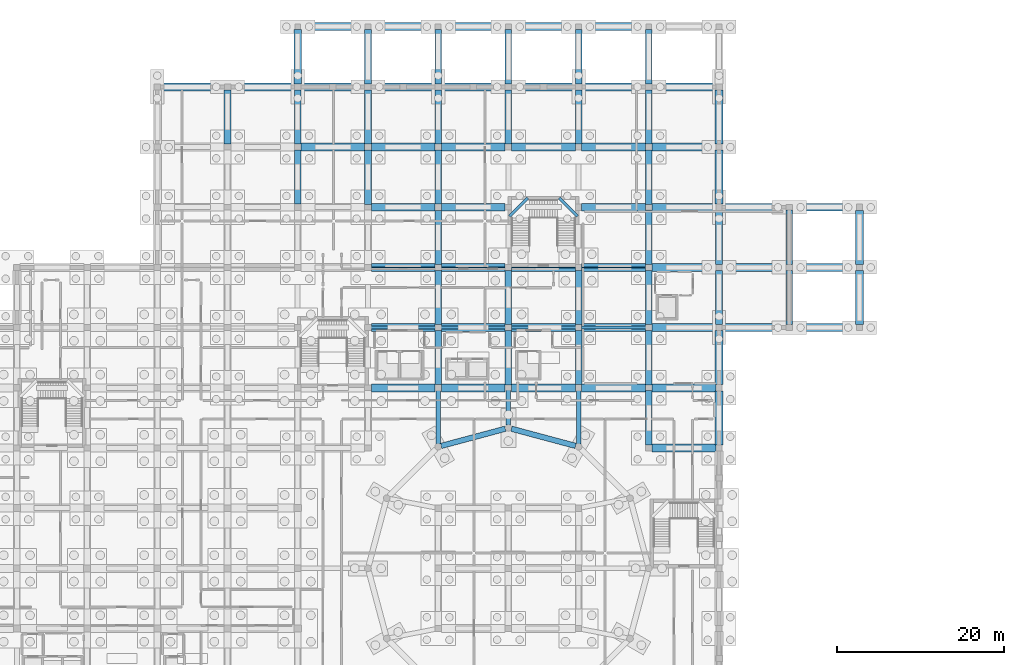
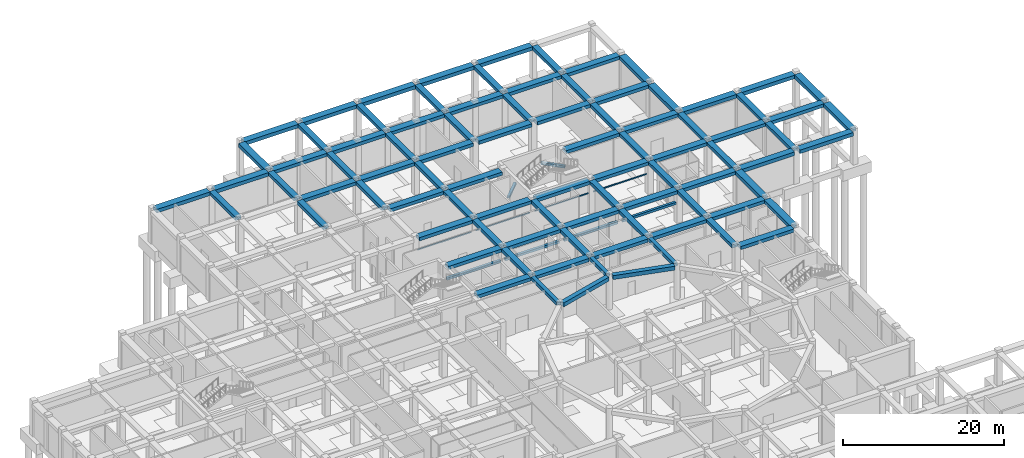
# One storey, part 13 of 32: 98 beams.
"""IFC4 building model written with IfcOpenShell, lengths in metres."""

import ifcopenshell
import ifcopenshell.guid

model = None  # the IFC model being written
_history = None  # IfcOwnerHistory: only IFC2X3 demands one
_inside = {}  # id of a spatial element -> (the spatial element, [elements in it])
_under = {}  # id of a project, library or spatial element -> (it, [spatial elements below it])
_declared = {}  # id of a project -> (the project, [libraries it declares])
_typed = {}  # id of a type object -> (the type object, [elements of that type])
_made_of = {}  # id of a material, layer set ... -> (it, [elements and type objects made of it])


def new_model(schema):
    """Start an empty IFC model of exactly this schema.

    Asked for "IFC4X3", IfcOpenShell would pick the latest addendum, in which some entities
    have other attributes; the version numbers below select the first issue.
    IFC2X3 requires an IfcOwnerHistory on every rooted entity: one is made here for all.
    """
    global model, _history
    if schema == "IFC4X3":
        model = ifcopenshell.file(schema_version=(4, 3, 0, 0))
    else:
        model = ifcopenshell.file(schema=schema)
    _inside.clear()
    _under.clear()
    _declared.clear()
    _typed.clear()
    _made_of.clear()
    _history = None
    if model.schema == "IFC2X3":
        org = make("IfcOrganization", Name="unknown")
        user = make(
            "IfcPersonAndOrganization",
            ThePerson=make("IfcPerson", FamilyName="unknown"),
            TheOrganization=org,
        )
        app = make(
            "IfcApplication",
            ApplicationDeveloper=org,
            Version="unknown",
            ApplicationFullName="unknown",
            ApplicationIdentifier="unknown",
        )
        _history = make(
            "IfcOwnerHistory",
            OwningUser=user,
            OwningApplication=app,
            ChangeAction="ADDED",
            CreationDate=0,
        )
    return model


def make(cls, **values):
    """One entity of the class cls with the attributes given. An attribute that is None is left unset."""
    return model.create_entity(
        cls, **{name: value for name, value in values.items() if value is not None}
    )


def rooted(cls, **values):
    """An entity with a GlobalId (a new one), such as an element, a storey or a relation."""
    return make(cls, GlobalId=ifcopenshell.guid.new(), OwnerHistory=_history, **values)


def si_unit(unit_type, name, prefix=None):
    """IfcSIUnit, for example si_unit("LENGTHUNIT", "METRE", prefix="MILLI")."""
    return make("IfcSIUnit", UnitType=unit_type, Prefix=prefix, Name=name)


def derived_unit(unit_type, elements):
    """IfcDerivedUnit: a product of units, each with its exponent."""
    return make(
        "IfcDerivedUnit",
        Elements=[
            make("IfcDerivedUnitElement", Unit=unit, Exponent=power)
            for unit, power in elements
        ],
        UnitType=unit_type,
    )


def assignment(units):
    """IfcUnitAssignment: the units of a project."""
    return None if units is None else make("IfcUnitAssignment", Units=units)


def point(xyz):
    """IfcCartesianPoint."""
    return None if xyz is None else make("IfcCartesianPoint", Coordinates=xyz)


def direction(xyz):
    """IfcDirection."""
    return None if xyz is None else make("IfcDirection", DirectionRatios=xyz)


def frame(location, z_axis=None, x_axis=None):
    """IfcAxis2Placement3D, a coordinate frame: its origin and axes. An axis left out is left unset."""
    return make(
        "IfcAxis2Placement3D",
        Location=point(location),
        Axis=direction(z_axis),
        RefDirection=direction(x_axis),
    )


def frame_2d(location, x_axis=None):
    """IfcAxis2Placement2D, a coordinate frame in the plane: its origin and x axis."""
    return make(
        "IfcAxis2Placement2D", Location=point(location), RefDirection=direction(x_axis)
    )


def origin():
    """The frame at (0, 0, 0) with its axes left unset."""
    return frame((0.0, 0.0, 0.0))


def origin_2d():
    """The frame at (0, 0) in the plane with its x axis left unset."""
    return frame_2d((0.0, 0.0))


def place(relative_to, where):
    """IfcLocalPlacement: puts the frame where relative to a parent placement (None: the world)."""
    return make(
        "IfcLocalPlacement", PlacementRelTo=relative_to, RelativePlacement=where
    )


def context(
    kind, dimensions, precision=None, world=None, true_north=None, identifier=None
):
    """IfcGeometricRepresentationContext, for example the 3D "Model" context."""
    return make(
        "IfcGeometricRepresentationContext",
        ContextIdentifier=identifier,
        ContextType=kind,
        CoordinateSpaceDimension=dimensions,
        Precision=precision,
        WorldCoordinateSystem=world,
        TrueNorth=true_north,
    )


def subcontext(parent, identifier, kind, view, scale=None):
    """IfcGeometricRepresentationSubContext, for example "Body" below "Model"."""
    return make(
        "IfcGeometricRepresentationSubContext",
        ContextIdentifier=identifier,
        ContextType=kind,
        ParentContext=parent,
        TargetScale=scale,
        TargetView=view,
    )


def project(units=None, contexts=None):
    """IfcProject with its units and contexts."""
    return rooted(
        "IfcProject",
        Name="project",
        RepresentationContexts=contexts,
        UnitsInContext=assignment(units),
    )


def spatial(cls, under=None, at=None, **own):
    """A site, building, storey or space (cls), placed at a placement, below another one or the project."""
    s = rooted(cls, ObjectPlacement=at, **own)
    if under is not None:
        _under.setdefault(under.id(), (under, []))[1].append(s)
    return s


def profile(cls, at=None, kind="AREA", **sizes):
    """A parametric profile (cls). Its sizes go by their IFC names, for example OverallWidth=200.0."""
    return make(cls, ProfileType=kind, Position=at, **sizes)


def rectangle(**sizes):
    """IfcRectangleProfileDef."""
    return profile("IfcRectangleProfileDef", **sizes)


def hollow_rectangle(**sizes):
    """IfcRectangleHollowProfileDef."""
    return profile("IfcRectangleHollowProfileDef", **sizes)


def extrude(swept, where, along, depth):
    """IfcExtrudedAreaSolid: the profile swept, set in the frame where, extruded along a direction by depth."""
    return make(
        "IfcExtrudedAreaSolid",
        SweptArea=swept,
        Position=where,
        ExtrudedDirection=direction(along),
        Depth=depth,
    )


def shape(context_of_items, identifier, shape_type, items):
    """IfcShapeRepresentation: the items that make up one representation, for example the "Body"."""
    return make(
        "IfcShapeRepresentation",
        ContextOfItems=context_of_items,
        RepresentationIdentifier=identifier,
        RepresentationType=shape_type,
        Items=items,
    )


def material(Name=None, Category=None):
    """IfcMaterial."""
    return make("IfcMaterial", Name=Name, Category=Category)


def material_profile(
    of_material, cross_section, Name=None, Category=None, Priority=None
):
    """IfcMaterialProfile: a cross section and its material."""
    return make(
        "IfcMaterialProfile",
        Name=Name,
        Material=of_material,
        Profile=cross_section,
        Priority=Priority,
        Category=Category,
    )


def profile_set(profiles, Name=None, composite=None):
    """IfcMaterialProfileSet."""
    return make(
        "IfcMaterialProfileSet",
        Name=Name,
        MaterialProfiles=profiles,
        CompositeProfile=composite,
    )


def made_of(thing, what):
    """Note that an element or type object is made of a material, layer set ...; save() writes the relation."""
    if what is not None:
        _made_of.setdefault(what.id(), (what, []))[1].append(thing)
    return thing


def type_object(cls, material=None, **own):
    """A type object (cls), such as IfcWallType, which elements share."""
    return made_of(rooted(cls, **own), material)


def element(
    cls,
    number,
    at=None,
    inside=None,
    cuts=None,
    type_object=None,
    material=None,
    context=None,
    identifier="Body",
    shape_type=None,
    held_by="IfcProductDefinitionShape",
    body=None,
    shapes=None,
    **own,
):
    """One element of the class cls, such as IfcWall. Its Tag is "e" and its number.

    at: its placement. inside: the storey or other place that contains it. cuts: it is an
    opening in that element (IfcRelVoidsElement). A single representation is given by context,
    identifier, shape_type and body (its items); several are given by shapes. held_by: the class
    of the entity that holds the representations. save() writes the other relations.
    """
    e = rooted(cls, Tag="e%d" % number, ObjectPlacement=at, **own)
    if body is not None:
        shapes = [shape(context, identifier, shape_type, body)]
    if shapes is not None:
        e.Representation = make(held_by, Representations=shapes)
    if inside is not None:
        _inside.setdefault(inside.id(), (inside, []))[1].append(e)
    if cuts is not None:
        rooted(
            "IfcRelVoidsElement", RelatingBuildingElement=cuts, RelatedOpeningElement=e
        )
    if type_object is not None:
        _typed.setdefault(type_object.id(), (type_object, []))[1].append(e)
    return made_of(e, material)


def aggregate(whole, parts):
    """IfcRelAggregates: a whole, such as a stair, and the parts it consists of."""
    return rooted("IfcRelAggregates", RelatingObject=whole, RelatedObjects=parts)


def save(model, path):
    """Write the relations noted so far, then the file.

    IfcRelAggregates (storeys below a building ...), IfcRelContainedInSpatialStructure (elements
    in a storey), IfcRelDefinesByType, IfcRelAssociatesMaterial and IfcRelDeclares: one each for
    every whole, place, type object, material and project.
    """
    for whole, parts in _under.values():
        aggregate(whole, parts)
    for where, things in _inside.values():
        rooted(
            "IfcRelContainedInSpatialStructure",
            RelatedElements=things,
            RelatingStructure=where,
        )
    for kind, things in _typed.values():
        rooted("IfcRelDefinesByType", RelatedObjects=things, RelatingType=kind)
    for what, things in _made_of.values():
        rooted("IfcRelAssociatesMaterial", RelatedObjects=things, RelatingMaterial=what)
    for by, libraries in _declared.values():
        rooted("IfcRelDeclares", RelatingContext=by, RelatedDefinitions=libraries)
    model.write(path)


model = new_model("IFC4")

# Units and contexts
model_context = context("Model", 3, precision=1e-05, world=origin(), true_north=direction((0.0, 1.0)))
body_context = subcontext(model_context, "Body", "Model", "MODEL_VIEW")
ifc_project = project(units=[si_unit("LENGTHUNIT", "METRE"), si_unit("AREAUNIT", "SQUARE_METRE"), si_unit("VOLUMEUNIT", "CUBIC_METRE"), si_unit("PLANEANGLEUNIT", "RADIAN"), si_unit("MASSUNIT", "GRAM", prefix="KILO"), derived_unit("THERMALTRANSMITTANCEUNIT", [(si_unit("POWERUNIT", "WATT"), 1), (si_unit("LENGTHUNIT", "METRE"), -2), (si_unit("THERMODYNAMICTEMPERATUREUNIT", "KELVIN"), -1)])], contexts=[model_context])

# Site, building, storey
site_placement = place(None, origin())
site = spatial("IfcSite", under=ifc_project, at=site_placement, CompositionType="ELEMENT")
building_placement = place(site_placement, origin())
building = spatial("IfcBuilding", under=site, at=building_placement, Name="Veybourne Emporium", CompositionType="ELEMENT")
storey_placement = place(building_placement, frame((0.0, 0.0, -5.39990234375)))
storey = spatial("IfcBuildingStorey", under=building, at=storey_placement, Name="B1", CompositionType="ELEMENT", Elevation=-5.39990234375)

# Beams
ifc_material_1 = material(Name="Concrete C32/40", Category="concrete")
ifc_material_profile_1 = material_profile(ifc_material_1, rectangle(XDim=0.35009765625, YDim=0.35009765625, at=origin_2d()), Name="RC 350x350")
ifc_profile_set_1 = profile_set([ifc_material_profile_1], Name="Concrete C32/40")
beam_type_1 = type_object("IfcBeamType", Name="LandingBeam_LB-01", PredefinedType="BEAM", material=ifc_profile_set_1)
for number, where, z_axis, x_axis, name in (
    (1, (75.75, 92.52001953125, 1.4248046875), (0.707106781187, 0.707106781187, 0.0), (-0.707106781187, 0.707106781187, 0.0), "B1 ST-04 landing 1 support beam"),
    (2, (81.669921875, 94.699951171875, 3.224853515625), (0.70714637394, -0.707067186216, 0.0), (0.707067186216, 0.70714637394, 0.0), "B1 ST-04 landing 2 support beam"),
):
    element("IfcBeam", number, at=place(storey_placement, frame(where, z_axis=z_axis, x_axis=x_axis)), inside=storey, type_object=beam_type_1, Name=name, PredefinedType="BEAM", context=body_context, shape_type="SweptSolid", body=[
        extrude(rectangle(XDim=0.35009765625, YDim=0.35009765625, at=origin_2d()), origin(), (0.0, 0.0, 1.0), 3.0830078125),
    ])
ifc_material_profile_2 = material_profile(ifc_material_1, rectangle(XDim=0.949951171875, YDim=0.5, at=origin_2d()), Name="RC 950x500")
ifc_profile_set_2 = profile_set([ifc_material_profile_2], Name="Concrete C32/40")
beam_type_2 = type_object("IfcBeamType", Name="RCBeam_BB-01", PredefinedType="BEAM", material=ifc_profile_set_2)
beam_1_placement = place(storey_placement, frame((50.77490234375, 100.800048828125, 4.7998046875), z_axis=(1.0, 0.0, 0.0), x_axis=(0.0, 1.0, 0.0)))
element("IfcBeam", 3, at=beam_1_placement, inside=storey, type_object=beam_type_2, Name="B1 X-grid beam BB-01 (6,14)", PredefinedType="BEAM", context=body_context, shape_type="SweptSolid", body=[
    extrude(rectangle(XDim=0.949951171875, YDim=0.5, at=origin_2d()), origin(), (0.0, 0.0, 1.0), 7.625),
])
beam_2_placement = place(storey_placement, frame((50.7900390625, 108.0, 4.7998046875), z_axis=(1.0, 0.0, 0.0), x_axis=(0.0, 1.0, 0.0)))
element("IfcBeam", 4, at=beam_2_placement, inside=storey, type_object=beam_type_2, Name="B1 X-grid beam BB-01 (6,15)", PredefinedType="BEAM", context=body_context, shape_type="SweptSolid", body=[
    extrude(rectangle(XDim=0.949951171875, YDim=0.5, at=origin_2d()), origin(), (0.0, 0.0, 1.0), 7.619873046875),
])
for number, where, z_axis, x_axis, name in (
    (5, (59.199951171875, 72.0, 4.7998046875), (1.0, 0.0, 0.0), (0.0, 1.0, 0.0), "B1 X-grid beam BB-01 (7,10)"),
    (6, (59.199951171875, 79.199951171875, 4.7998046875), (1.0, 0.0, 0.0), (0.0, 1.0, 0.0), "B1 X-grid beam BB-01 (7,11)"),
    (7, (59.199951171875, 86.39990234375, 4.7998046875), (1.0, 0.0, 0.0), (0.0, 1.0, 0.0), "B1 X-grid beam BB-01 (7,12)"),
    (8, (59.199951171875, 93.60009765625, 4.7998046875), (1.0, 0.0, 0.0), (0.0, 1.0, 0.0), "B1 X-grid beam BB-01 (7,13)"),
    (9, (59.199951171875, 100.800048828125, 4.7998046875), (1.0, 0.0, 0.0), (0.0, 1.0, 0.0), "B1 X-grid beam BB-01 (7,14)"),
):
    element("IfcBeam", number, at=place(storey_placement, frame(where, z_axis=z_axis, x_axis=x_axis)), inside=storey, type_object=beam_type_2, Name=name, PredefinedType="BEAM", context=body_context, shape_type="SweptSolid", body=[
        extrude(rectangle(XDim=0.949951171875, YDim=0.5, at=origin_2d()), origin(), (0.0, 0.0, 1.0), 7.625),
    ])
beam_3_placement = place(storey_placement, frame((59.18994140625, 108.0, 4.7998046875), z_axis=(1.0, 0.0, 0.0), x_axis=(0.0, 1.0, 0.0)))
element("IfcBeam", 10, at=beam_3_placement, inside=storey, type_object=beam_type_2, Name="B1 X-grid beam BB-01 (7,15)", PredefinedType="BEAM", context=body_context, shape_type="SweptSolid", body=[
    extrude(rectangle(XDim=0.949951171875, YDim=0.5, at=origin_2d()), origin(), (0.0, 0.0, 1.0), 7.6201171875),
])
for number, where, z_axis, x_axis, name in (
    (11, (67.574951171875, 72.0, 4.7998046875), (1.0, 0.0, 0.0), (0.0, 1.0, 0.0), "B1 X-grid beam BB-01 (8,10)"),
    (12, (67.574951171875, 79.199951171875, 4.7998046875), (1.0, 0.0, 0.0), (0.0, 1.0, 0.0), "B1 X-grid beam BB-01 (8,11)"),
    (13, (67.574951171875, 86.39990234375, 4.7998046875), (1.0, 0.0, 0.0), (0.0, 1.0, 0.0), "B1 X-grid beam BB-01 (8,12)"),
    (14, (67.574951171875, 93.60009765625, 4.7998046875), (1.0, 0.0, 0.0), (0.0, 1.0, 0.0), "B1 X-grid beam BB-01 (8,13)"),
    (15, (67.574951171875, 100.800048828125, 4.7998046875), (1.0, 0.0, 0.0), (0.0, 1.0, 0.0), "B1 X-grid beam BB-01 (8,14)"),
):
    element("IfcBeam", number, at=place(storey_placement, frame(where, z_axis=z_axis, x_axis=x_axis)), inside=storey, type_object=beam_type_2, Name=name, PredefinedType="BEAM", context=body_context, shape_type="SweptSolid", body=[
        extrude(rectangle(XDim=0.949951171875, YDim=0.5, at=origin_2d()), origin(), (0.0, 0.0, 1.0), 7.625),
    ])
beam_4_placement = place(storey_placement, frame((67.590087890625, 108.0, 4.7998046875), z_axis=(1.0, 0.0, 0.0), x_axis=(0.0, 1.0, 0.0)))
element("IfcBeam", 16, at=beam_4_placement, inside=storey, type_object=beam_type_2, Name="B1 X-grid beam BB-01 (8,15)", PredefinedType="BEAM", context=body_context, shape_type="SweptSolid", body=[
    extrude(rectangle(XDim=0.949951171875, YDim=0.5, at=origin_2d()), origin(), (0.0, 0.0, 1.0), 7.619873046875),
])
for number, where, z_axis, x_axis, name in (
    (17, (76.0, 72.0, 4.7998046875), (1.0, 0.0, 0.0), (0.0, 1.0, 0.0), "B1 X-grid beam BB-01 (9,10)"),
    (18, (76.0, 79.199951171875, 4.7998046875), (1.0, 0.0, 0.0), (0.0, 1.0, 0.0), "B1 X-grid beam BB-01 (9,11)"),
    (19, (76.0, 86.39990234375, 4.7998046875), (1.0, 0.0, 0.0), (0.0, 1.0, 0.0), "B1 X-grid beam BB-01 (9,12)"),
    (20, (76.0, 100.800048828125, 4.7998046875), (1.0, 0.0, 0.0), (0.0, 1.0, 0.0), "B1 X-grid beam BB-01 (9,14)"),
):
    element("IfcBeam", number, at=place(storey_placement, frame(where, z_axis=z_axis, x_axis=x_axis)), inside=storey, type_object=beam_type_2, Name=name, PredefinedType="BEAM", context=body_context, shape_type="SweptSolid", body=[
        extrude(rectangle(XDim=0.949951171875, YDim=0.5, at=origin_2d()), origin(), (0.0, 0.0, 1.0), 7.625),
    ])
beam_5_placement = place(storey_placement, frame((75.989990234375, 108.0, 4.7998046875), z_axis=(1.0, 0.0, 0.0), x_axis=(0.0, 1.0, 0.0)))
element("IfcBeam", 21, at=beam_5_placement, inside=storey, type_object=beam_type_2, Name="B1 X-grid beam BB-01 (9,15)", PredefinedType="BEAM", context=body_context, shape_type="SweptSolid", body=[
    extrude(rectangle(XDim=0.949951171875, YDim=0.5, at=origin_2d()), origin(), (0.0, 0.0, 1.0), 7.6201171875),
])
for number, where, z_axis, x_axis, name in (
    (22, (84.375, 72.0, 4.7998046875), (1.0, 0.0, 0.0), (0.0, 1.0, 0.0), "B1 X-grid beam BB-01 (10,10)"),
    (23, (84.375, 79.199951171875, 4.7998046875), (1.0, 0.0, 0.0), (0.0, 1.0, 0.0), "B1 X-grid beam BB-01 (10,11)"),
    (24, (84.375, 86.39990234375, 4.7998046875), (1.0, 0.0, 0.0), (0.0, 1.0, 0.0), "B1 X-grid beam BB-01 (10,12)"),
    (25, (84.375, 93.60009765625, 4.7998046875), (1.0, 0.0, 0.0), (0.0, 1.0, 0.0), "B1 X-grid beam BB-01 (10,13)"),
    (26, (84.375, 100.800048828125, 4.7998046875), (1.0, 0.0, 0.0), (0.0, 1.0, 0.0), "B1 X-grid beam BB-01 (10,14)"),
):
    element("IfcBeam", number, at=place(storey_placement, frame(where, z_axis=z_axis, x_axis=x_axis)), inside=storey, type_object=beam_type_2, Name=name, PredefinedType="BEAM", context=body_context, shape_type="SweptSolid", body=[
        extrude(rectangle(XDim=0.949951171875, YDim=0.5, at=origin_2d()), origin(), (0.0, 0.0, 1.0), 7.625),
    ])
beam_6_placement = place(storey_placement, frame((84.389892578125, 108.0, 4.7998046875), z_axis=(1.0, 0.0, 0.0), x_axis=(0.0, 1.0, 0.0)))
element("IfcBeam", 27, at=beam_6_placement, inside=storey, type_object=beam_type_2, Name="B1 X-grid beam BB-01 (10,15)", PredefinedType="BEAM", context=body_context, shape_type="SweptSolid", body=[
    extrude(rectangle(XDim=0.949951171875, YDim=0.5, at=origin_2d()), origin(), (0.0, 0.0, 1.0), 7.6201171875),
])
for number, where, z_axis, x_axis, name in (
    (28, (92.800048828125, 64.800048828125, 4.7998046875), (1.0, 0.0, 0.0), (0.0, 1.0, 0.0), "B1 X-grid beam BB-01 (11,9)"),
    (29, (92.800048828125, 72.0, 4.7998046875), (1.0, 0.0, 0.0), (0.0, 1.0, 0.0), "B1 X-grid beam BB-01 (11,10)"),
    (30, (92.800048828125, 79.199951171875, 4.7998046875), (1.0, 0.0, 0.0), (0.0, 1.0, 0.0), "B1 X-grid beam BB-01 (11,11)"),
    (31, (92.800048828125, 86.39990234375, 4.7998046875), (1.0, 0.0, 0.0), (0.0, 1.0, 0.0), "B1 X-grid beam BB-01 (11,12)"),
    (32, (92.800048828125, 93.60009765625, 4.7998046875), (1.0, 0.0, 0.0), (0.0, 1.0, 0.0), "B1 X-grid beam BB-01 (11,13)"),
    (33, (92.800048828125, 100.800048828125, 4.7998046875), (1.0, 0.0, 0.0), (0.0, 1.0, 0.0), "B1 X-grid beam BB-01 (11,14)"),
):
    element("IfcBeam", number, at=place(storey_placement, frame(where, z_axis=z_axis, x_axis=x_axis)), inside=storey, type_object=beam_type_2, Name=name, PredefinedType="BEAM", context=body_context, shape_type="SweptSolid", body=[
        extrude(rectangle(XDim=0.949951171875, YDim=0.5, at=origin_2d()), origin(), (0.0, 0.0, 1.0), 7.625),
    ])
beam_7_placement = place(storey_placement, frame((92.7900390625, 108.0, 4.7998046875), z_axis=(1.0, 0.0, 0.0), x_axis=(0.0, 1.0, 0.0)))
element("IfcBeam", 34, at=beam_7_placement, inside=storey, type_object=beam_type_2, Name="B1 X-grid beam BB-01 (11,15)", PredefinedType="BEAM", context=body_context, shape_type="SweptSolid", body=[
    extrude(rectangle(XDim=0.949951171875, YDim=0.5, at=origin_2d()), origin(), (0.0, 0.0, 1.0), 7.619873046875),
])
for number, where, z_axis, x_axis, name in (
    (35, (101.175048828125, 86.39990234375, 4.7998046875), (1.0, 0.0, 0.0), (0.0, 1.0, 0.0), "B1 X-grid beam BB-01 (12,12)"),
    (36, (109.60009765625, 86.39990234375, 4.7998046875), (1.0, 0.0, 0.0), (0.0, 1.0, 0.0), "B1 X-grid beam BB-01 (13,12)"),
):
    element("IfcBeam", number, at=place(storey_placement, frame(where, z_axis=z_axis, x_axis=x_axis)), inside=storey, type_object=beam_type_2, Name=name, PredefinedType="BEAM", context=body_context, shape_type="SweptSolid", body=[
        extrude(rectangle(XDim=0.949951171875, YDim=0.5, at=origin_2d()), origin(), (0.0, 0.0, 1.0), 7.625),
    ])
ifc_material_profile_3 = material_profile(ifc_material_1, rectangle(XDim=0.800048828125, YDim=0.5, at=origin_2d()), Name="RC 800x500")
ifc_profile_set_3 = profile_set([ifc_material_profile_3], Name="Concrete C32/40")
beam_type_3 = type_object("IfcBeamType", Name="RCBeam_BB-02", PredefinedType="BEAM", material=ifc_profile_set_3)
beam_8_placement = place(storey_placement, frame((42.0, 101.14990234375, 4.7998046875), z_axis=(0.0, 1.0, 0.0), x_axis=(-1.0, 0.0, 0.0)))
element("IfcBeam", 37, at=beam_8_placement, inside=storey, type_object=beam_type_3, Name="B1 Y-grid beam BB-02 (5,14)", PredefinedType="BEAM", context=body_context, shape_type="SweptSolid", body=[
    extrude(rectangle(XDim=0.800048828125, YDim=0.5, at=origin_2d()), origin(), (0.0, 0.0, 1.0), 6.489990234375),
])
beam_9_placement = place(storey_placement, frame((50.39990234375, 93.97509765625, 4.7998046875), z_axis=(0.0, 1.0, 0.0), x_axis=(-1.0, 0.0, 0.0)))
element("IfcBeam", 38, at=beam_9_placement, inside=storey, type_object=beam_type_3, Name="B1 Y-grid beam BB-02 (6,13)", PredefinedType="BEAM", context=body_context, shape_type="SweptSolid", body=[
    extrude(rectangle(XDim=0.800048828125, YDim=0.5, at=origin_2d()), origin(), (0.0, 0.0, 1.0), 6.449951171875),
])
beam_10_placement = place(storey_placement, frame((50.39990234375, 101.175048828125, 4.7998046875), z_axis=(0.0, 1.0, 0.0), x_axis=(-1.0, 0.0, 0.0)))
element("IfcBeam", 39, at=beam_10_placement, inside=storey, type_object=beam_type_3, Name="B1 Y-grid beam BB-02 (6,14)", PredefinedType="BEAM", context=body_context, shape_type="SweptSolid", body=[
    extrude(rectangle(XDim=0.800048828125, YDim=0.5, at=origin_2d()), origin(), (0.0, 0.0, 1.0), 6.46484375),
])
beam_11_placement = place(storey_placement, frame((58.800048828125, 93.949951171875, 4.7998046875), z_axis=(0.0, 1.0, 0.0), x_axis=(-1.0, 0.0, 0.0)))
element("IfcBeam", 40, at=beam_11_placement, inside=storey, type_object=beam_type_3, Name="B1 Y-grid beam BB-02 (7,13)", PredefinedType="BEAM", context=body_context, shape_type="SweptSolid", body=[
    extrude(rectangle(XDim=0.800048828125, YDim=0.5, at=origin_2d()), origin(), (0.0, 0.0, 1.0), 6.5),
])
for number, where, z_axis, x_axis, name in (
    (41, (58.800048828125, 101.14990234375, 4.7998046875), (0.0, 1.0, 0.0), (-1.0, 0.0, 0.0), "B1 Y-grid beam BB-02 (7,14)"),
    (42, (58.800048828125, 108.360107421875, 4.7998046875), (0.0, 1.0, 0.0), (-1.0, 0.0, 0.0), "B1 Y-grid beam BB-02 (7,15)"),
):
    element("IfcBeam", number, at=place(storey_placement, frame(where, z_axis=z_axis, x_axis=x_axis)), inside=storey, type_object=beam_type_3, Name=name, PredefinedType="BEAM", context=body_context, shape_type="SweptSolid", body=[
        extrude(rectangle(XDim=0.800048828125, YDim=0.5, at=origin_2d()), origin(), (0.0, 0.0, 1.0), 6.489990234375),
    ])
for number, where, z_axis, x_axis, name in (
    (43, (67.199951171875, 72.375, 4.7998046875), (0.0, 1.0, 0.0), (-1.0, 0.0, 0.0), "B1 Y-grid beam BB-02 (8,10)"),
    (44, (67.199951171875, 79.574951171875, 4.7998046875), (0.0, 1.0, 0.0), (-1.0, 0.0, 0.0), "B1 Y-grid beam BB-02 (8,11)"),
):
    element("IfcBeam", number, at=place(storey_placement, frame(where, z_axis=z_axis, x_axis=x_axis)), inside=storey, type_object=beam_type_3, Name=name, PredefinedType="BEAM", context=body_context, shape_type="SweptSolid", body=[
        extrude(rectangle(XDim=0.800048828125, YDim=0.5, at=origin_2d()), origin(), (0.0, 0.0, 1.0), 6.449951171875),
    ])
beam_12_placement = place(storey_placement, frame((67.199951171875, 86.77490234375, 4.7998046875), z_axis=(0.0, 1.0, 0.0), x_axis=(-1.0, 0.0, 0.0)))
element("IfcBeam", 45, at=beam_12_placement, inside=storey, type_object=beam_type_3, Name="B1 Y-grid beam BB-02 (8,12)", PredefinedType="BEAM", context=body_context, shape_type="SweptSolid", body=[
    extrude(rectangle(XDim=0.800048828125, YDim=0.5, at=origin_2d()), origin(), (0.0, 0.0, 1.0), 6.4501953125),
])
beam_13_placement = place(storey_placement, frame((67.199951171875, 93.97509765625, 4.7998046875), z_axis=(0.0, 1.0, 0.0), x_axis=(-1.0, 0.0, 0.0)))
element("IfcBeam", 46, at=beam_13_placement, inside=storey, type_object=beam_type_3, Name="B1 Y-grid beam BB-02 (8,13)", PredefinedType="BEAM", context=body_context, shape_type="SweptSolid", body=[
    extrude(rectangle(XDim=0.800048828125, YDim=0.5, at=origin_2d()), origin(), (0.0, 0.0, 1.0), 6.449951171875),
])
beam_14_placement = place(storey_placement, frame((67.199951171875, 101.175048828125, 4.7998046875), z_axis=(0.0, 1.0, 0.0), x_axis=(-1.0, 0.0, 0.0)))
element("IfcBeam", 47, at=beam_14_placement, inside=storey, type_object=beam_type_3, Name="B1 Y-grid beam BB-02 (8,14)", PredefinedType="BEAM", context=body_context, shape_type="SweptSolid", body=[
    extrude(rectangle(XDim=0.800048828125, YDim=0.5, at=origin_2d()), origin(), (0.0, 0.0, 1.0), 6.46484375),
])
beam_15_placement = place(storey_placement, frame((67.199951171875, 108.360107421875, 4.7998046875), z_axis=(0.0, 1.0, 0.0), x_axis=(-1.0, 0.0, 0.0)))
element("IfcBeam", 48, at=beam_15_placement, inside=storey, type_object=beam_type_3, Name="B1 Y-grid beam BB-02 (8,15)", PredefinedType="BEAM", context=body_context, shape_type="SweptSolid", body=[
    extrude(rectangle(XDim=0.800048828125, YDim=0.5, at=origin_2d()), origin(), (0.0, 0.0, 1.0), 6.489990234375),
])
for number, where, z_axis, x_axis, name in (
    (49, (75.60009765625, 72.35009765625, 4.7998046875), (0.0, 1.0, 0.0), (-1.0, 0.0, 0.0), "B1 Y-grid beam BB-02 (9,10)"),
    (50, (75.60009765625, 79.550048828125, 4.7998046875), (0.0, 1.0, 0.0), (-1.0, 0.0, 0.0), "B1 Y-grid beam BB-02 (9,11)"),
):
    element("IfcBeam", number, at=place(storey_placement, frame(where, z_axis=z_axis, x_axis=x_axis)), inside=storey, type_object=beam_type_3, Name=name, PredefinedType="BEAM", context=body_context, shape_type="SweptSolid", body=[
        extrude(rectangle(XDim=0.800048828125, YDim=0.5, at=origin_2d()), origin(), (0.0, 0.0, 1.0), 6.5),
    ])
for number, where, z_axis, x_axis, name in (
    (51, (75.60009765625, 101.14990234375, 4.7998046875), (0.0, 1.0, 0.0), (-1.0, 0.0, 0.0), "B1 Y-grid beam BB-02 (9,14)"),
    (52, (75.60009765625, 108.360107421875, 4.7998046875), (0.0, 1.0, 0.0), (-1.0, 0.0, 0.0), "B1 Y-grid beam BB-02 (9,15)"),
):
    element("IfcBeam", number, at=place(storey_placement, frame(where, z_axis=z_axis, x_axis=x_axis)), inside=storey, type_object=beam_type_3, Name=name, PredefinedType="BEAM", context=body_context, shape_type="SweptSolid", body=[
        extrude(rectangle(XDim=0.800048828125, YDim=0.5, at=origin_2d()), origin(), (0.0, 0.0, 1.0), 6.489990234375),
    ])
for number, where, z_axis, x_axis, name in (
    (53, (84.0, 72.375, 4.7998046875), (0.0, 1.0, 0.0), (-1.0, 0.0, 0.0), "B1 Y-grid beam BB-02 (10,10)"),
    (54, (84.0, 79.574951171875, 4.7998046875), (0.0, 1.0, 0.0), (-1.0, 0.0, 0.0), "B1 Y-grid beam BB-02 (10,11)"),
):
    element("IfcBeam", number, at=place(storey_placement, frame(where, z_axis=z_axis, x_axis=x_axis)), inside=storey, type_object=beam_type_3, Name=name, PredefinedType="BEAM", context=body_context, shape_type="SweptSolid", body=[
        extrude(rectangle(XDim=0.800048828125, YDim=0.5, at=origin_2d()), origin(), (0.0, 0.0, 1.0), 6.449951171875),
    ])
beam_16_placement = place(storey_placement, frame((84.0, 101.175048828125, 4.7998046875), z_axis=(0.0, 1.0, 0.0), x_axis=(-1.0, 0.0, 0.0)))
element("IfcBeam", 55, at=beam_16_placement, inside=storey, type_object=beam_type_3, Name="B1 Y-grid beam BB-02 (10,14)", PredefinedType="BEAM", context=body_context, shape_type="SweptSolid", body=[
    extrude(rectangle(XDim=0.800048828125, YDim=0.5, at=origin_2d()), origin(), (0.0, 0.0, 1.0), 6.46484375),
])
beam_17_placement = place(storey_placement, frame((84.0, 108.360107421875, 4.7998046875), z_axis=(0.0, 1.0, 0.0), x_axis=(-1.0, 0.0, 0.0)))
element("IfcBeam", 56, at=beam_17_placement, inside=storey, type_object=beam_type_3, Name="B1 Y-grid beam BB-02 (10,15)", PredefinedType="BEAM", context=body_context, shape_type="SweptSolid", body=[
    extrude(rectangle(XDim=0.800048828125, YDim=0.5, at=origin_2d()), origin(), (0.0, 0.0, 1.0), 6.489990234375),
])
for number, where, z_axis, x_axis, name in (
    (57, (92.39990234375, 65.14990234375, 4.7998046875), (0.0, 1.0, 0.0), (-1.0, 0.0, 0.0), "B1 Y-grid beam BB-02 (11,9)"),
    (58, (92.39990234375, 72.35009765625, 4.7998046875), (0.0, 1.0, 0.0), (-1.0, 0.0, 0.0), "B1 Y-grid beam BB-02 (11,10)"),
    (59, (92.39990234375, 79.550048828125, 4.7998046875), (0.0, 1.0, 0.0), (-1.0, 0.0, 0.0), "B1 Y-grid beam BB-02 (11,11)"),
    (60, (92.39990234375, 86.75, 4.7998046875), (0.0, 1.0, 0.0), (-1.0, 0.0, 0.0), "B1 Y-grid beam BB-02 (11,12)"),
    (61, (92.39990234375, 93.949951171875, 4.7998046875), (0.0, 1.0, 0.0), (-1.0, 0.0, 0.0), "B1 Y-grid beam BB-02 (11,13)"),
):
    element("IfcBeam", number, at=place(storey_placement, frame(where, z_axis=z_axis, x_axis=x_axis)), inside=storey, type_object=beam_type_3, Name=name, PredefinedType="BEAM", context=body_context, shape_type="SweptSolid", body=[
        extrude(rectangle(XDim=0.800048828125, YDim=0.5, at=origin_2d()), origin(), (0.0, 0.0, 1.0), 6.5),
    ])
for number, where, z_axis, x_axis, name in (
    (62, (92.39990234375, 101.14990234375, 4.7998046875), (0.0, 1.0, 0.0), (-1.0, 0.0, 0.0), "B1 Y-grid beam BB-02 (11,14)"),
    (63, (92.39990234375, 108.360107421875, 4.7998046875), (0.0, 1.0, 0.0), (-1.0, 0.0, 0.0), "B1 Y-grid beam BB-02 (11,15)"),
):
    element("IfcBeam", number, at=place(storey_placement, frame(where, z_axis=z_axis, x_axis=x_axis)), inside=storey, type_object=beam_type_3, Name=name, PredefinedType="BEAM", context=body_context, shape_type="SweptSolid", body=[
        extrude(rectangle(XDim=0.800048828125, YDim=0.5, at=origin_2d()), origin(), (0.0, 0.0, 1.0), 6.489990234375),
    ])
beam_18_placement = place(storey_placement, frame((100.800048828125, 79.574951171875, 4.7998046875), z_axis=(0.0, 1.0, 0.0), x_axis=(-1.0, 0.0, 0.0)))
element("IfcBeam", 64, at=beam_18_placement, inside=storey, type_object=beam_type_3, Name="B1 Y-grid beam BB-02 (12,11)", PredefinedType="BEAM", context=body_context, shape_type="SweptSolid", body=[
    extrude(rectangle(XDim=0.800048828125, YDim=0.5, at=origin_2d()), origin(), (0.0, 0.0, 1.0), 6.449951171875),
])
beam_19_placement = place(storey_placement, frame((100.800048828125, 86.77490234375, 4.7998046875), z_axis=(0.0, 1.0, 0.0), x_axis=(-1.0, 0.0, 0.0)))
element("IfcBeam", 65, at=beam_19_placement, inside=storey, type_object=beam_type_3, Name="B1 Y-grid beam BB-02 (12,12)", PredefinedType="BEAM", context=body_context, shape_type="SweptSolid", body=[
    extrude(rectangle(XDim=0.800048828125, YDim=0.5, at=origin_2d()), origin(), (0.0, 0.0, 1.0), 6.4501953125),
])
for number, where, z_axis, x_axis, name in (
    (66, (109.199951171875, 79.550048828125, 4.7998046875), (0.0, 1.0, 0.0), (-1.0, 0.0, 0.0), "B1 Y-grid beam BB-02 (13,11)"),
    (67, (109.199951171875, 86.75, 4.7998046875), (0.0, 1.0, 0.0), (-1.0, 0.0, 0.0), "B1 Y-grid beam BB-02 (13,12)"),
):
    element("IfcBeam", number, at=place(storey_placement, frame(where, z_axis=z_axis, x_axis=x_axis)), inside=storey, type_object=beam_type_3, Name=name, PredefinedType="BEAM", context=body_context, shape_type="SweptSolid", body=[
        extrude(rectangle(XDim=0.800048828125, YDim=0.5, at=origin_2d()), origin(), (0.0, 0.0, 1.0), 6.5),
    ])
ifc_material_profile_4 = material_profile(ifc_material_1, rectangle(XDim=0.949951171875, YDim=0.550048828125, at=origin_2d()), Name="RC 950x550")
ifc_profile_set_4 = profile_set([ifc_material_profile_4], Name="Concrete C32/40")
beam_type_4 = type_object("IfcBeamType", Name="RCBeam_EB-01", PredefinedType="SPANDREL", material=ifc_profile_set_4)
for number, where, z_axis, x_axis, name in (
    (68, (33.989990234375, 108.0, 4.77490234375), (1.0, 0.0, 0.0), (0.0, 1.0, 0.0), "B1 X-grid beam EB-01 (4,15)"),
    (69, (42.389892578125, 108.0, 4.77490234375), (1.0, 0.0, 0.0), (0.0, 1.0, 0.0), "B1 X-grid beam EB-01 (5,15)"),
):
    element("IfcBeam", number, at=place(storey_placement, frame(where, z_axis=z_axis, x_axis=x_axis)), inside=storey, type_object=beam_type_4, Name=name, PredefinedType="SPANDREL", context=body_context, shape_type="SweptSolid", body=[
        extrude(rectangle(XDim=0.949951171875, YDim=0.550048828125, at=origin_2d()), origin(), (0.0, 0.0, 1.0), 7.6201171875),
    ])
beam_20_placement = place(storey_placement, frame((50.75, 115.199951171875, 4.77490234375), z_axis=(1.0, 0.0, 0.0), x_axis=(0.0, 1.0, 0.0)))
element("IfcBeam", 70, at=beam_20_placement, inside=storey, type_object=beam_type_4, Name="B1 X-grid beam EB-01 (6,16)", PredefinedType="SPANDREL", context=body_context, shape_type="SweptSolid", body=[
    extrude(rectangle(XDim=0.949951171875, YDim=0.550048828125, at=origin_2d()), origin(), (0.0, 0.0, 1.0), 7.699951171875),
])
beam_21_placement = place(storey_placement, frame((59.14990234375, 115.199951171875, 4.77490234375), z_axis=(1.0, 0.0, 0.0), x_axis=(0.0, 1.0, 0.0)))
element("IfcBeam", 71, at=beam_21_placement, inside=storey, type_object=beam_type_4, Name="B1 X-grid beam EB-01 (7,16)", PredefinedType="SPANDREL", context=body_context, shape_type="SweptSolid", body=[
    extrude(rectangle(XDim=0.949951171875, YDim=0.550048828125, at=origin_2d()), origin(), (0.0, 0.0, 1.0), 7.7001953125),
])
for number, where, z_axis, x_axis, name in (
    (72, (67.550048828125, 115.199951171875, 4.77490234375), (1.0, 0.0, 0.0), (0.0, 1.0, 0.0), "B1 X-grid beam EB-01 (8,16)"),
    (73, (75.949951171875, 115.199951171875, 4.77490234375), (1.0, 0.0, 0.0), (0.0, 1.0, 0.0), "B1 X-grid beam EB-01 (9,16)"),
    (74, (84.35009765625, 115.199951171875, 4.77490234375), (1.0, 0.0, 0.0), (0.0, 1.0, 0.0), "B1 X-grid beam EB-01 (10,16)"),
):
    element("IfcBeam", number, at=place(storey_placement, frame(where, z_axis=z_axis, x_axis=x_axis)), inside=storey, type_object=beam_type_4, Name=name, PredefinedType="SPANDREL", context=body_context, shape_type="SweptSolid", body=[
        extrude(rectangle(XDim=0.949951171875, YDim=0.550048828125, at=origin_2d()), origin(), (0.0, 0.0, 1.0), 7.699951171875),
    ])
for number, where, z_axis, x_axis, name in (
    (75, (101.175048828125, 79.199951171875, 4.77490234375), (1.0, 0.0, 0.0), (0.0, 1.0, 0.0), "B1 X-grid beam EB-01 (12,11)"),
    (76, (101.175048828125, 93.60009765625, 4.77490234375), (1.0, 0.0, 0.0), (0.0, 1.0, 0.0), "B1 X-grid beam EB-01 (12,13)"),
    (77, (109.60009765625, 79.199951171875, 4.77490234375), (1.0, 0.0, 0.0), (0.0, 1.0, 0.0), "B1 X-grid beam EB-01 (13,11)"),
    (78, (109.60009765625, 93.60009765625, 4.77490234375), (1.0, 0.0, 0.0), (0.0, 1.0, 0.0), "B1 X-grid beam EB-01 (13,13)"),
):
    element("IfcBeam", number, at=place(storey_placement, frame(where, z_axis=z_axis, x_axis=x_axis)), inside=storey, type_object=beam_type_4, Name=name, PredefinedType="SPANDREL", context=body_context, shape_type="SweptSolid", body=[
        extrude(rectangle(XDim=0.949951171875, YDim=0.550048828125, at=origin_2d()), origin(), (0.0, 0.0, 1.0), 7.625),
    ])
beam_22_placement = place(storey_placement, frame((50.39990234375, 108.360107421875, 4.77490234375), z_axis=(0.0, 1.0, 0.0), x_axis=(-1.0, 0.0, 0.0)))
element("IfcBeam", 79, at=beam_22_placement, inside=storey, type_object=beam_type_4, Name="B1 Y-grid beam EB-01 (6,15)", PredefinedType="SPANDREL", context=body_context, shape_type="SweptSolid", body=[
    extrude(rectangle(XDim=0.949951171875, YDim=0.550048828125, at=origin_2d()), origin(), (0.0, 0.0, 1.0), 6.489990234375),
])
for number, where, z_axis, x_axis, name in (
    (80, (100.800048828125, 65.175048828125, 4.77490234375), (0.0, 1.0, 0.0), (-1.0, 0.0, 0.0), "B1 Y-grid beam EB-01 (12,9)"),
    (81, (100.800048828125, 72.375, 4.77490234375), (0.0, 1.0, 0.0), (-1.0, 0.0, 0.0), "B1 Y-grid beam EB-01 (12,10)"),
    (82, (100.800048828125, 93.97509765625, 4.77490234375), (0.0, 1.0, 0.0), (-1.0, 0.0, 0.0), "B1 Y-grid beam EB-01 (12,13)"),
):
    element("IfcBeam", number, at=place(storey_placement, frame(where, z_axis=z_axis, x_axis=x_axis)), inside=storey, type_object=beam_type_4, Name=name, PredefinedType="SPANDREL", context=body_context, shape_type="SweptSolid", body=[
        extrude(rectangle(XDim=0.949951171875, YDim=0.550048828125, at=origin_2d()), origin(), (0.0, 0.0, 1.0), 6.449951171875),
    ])
beam_23_placement = place(storey_placement, frame((100.800048828125, 101.175048828125, 4.77490234375), z_axis=(0.0, 1.0, 0.0), x_axis=(-1.0, 0.0, 0.0)))
element("IfcBeam", 83, at=beam_23_placement, inside=storey, type_object=beam_type_4, Name="B1 Y-grid beam EB-01 (12,14)", PredefinedType="SPANDREL", context=body_context, shape_type="SweptSolid", body=[
    extrude(rectangle(XDim=0.949951171875, YDim=0.550048828125, at=origin_2d()), origin(), (0.0, 0.0, 1.0), 6.46484375),
])
beam_24_placement = place(storey_placement, frame((117.60009765625, 79.574951171875, 4.77490234375), z_axis=(0.0, 1.0, 0.0), x_axis=(-1.0, 0.0, 0.0)))
element("IfcBeam", 84, at=beam_24_placement, inside=storey, type_object=beam_type_4, Name="B1 Y-grid beam EB-01 (14,11)", PredefinedType="SPANDREL", context=body_context, shape_type="SweptSolid", body=[
    extrude(rectangle(XDim=0.949951171875, YDim=0.550048828125, at=origin_2d()), origin(), (0.0, 0.0, 1.0), 6.449951171875),
])
beam_25_placement = place(storey_placement, frame((117.60009765625, 86.77490234375, 4.77490234375), z_axis=(0.0, 1.0, 0.0), x_axis=(-1.0, 0.0, 0.0)))
element("IfcBeam", 85, at=beam_25_placement, inside=storey, type_object=beam_type_4, Name="B1 Y-grid beam EB-01 (14,12)", PredefinedType="SPANDREL", context=body_context, shape_type="SweptSolid", body=[
    extrude(rectangle(XDim=0.949951171875, YDim=0.550048828125, at=origin_2d()), origin(), (0.0, 0.0, 1.0), 6.4501953125),
])
ifc_material_profile_5 = material_profile(ifc_material_1, rectangle(XDim=0.64990234375, YDim=0.60009765625, at=origin_2d()), Name="RC 650x600")
ifc_profile_set_5 = profile_set([ifc_material_profile_5], Name="Concrete C32/40")
beam_type_5 = type_object("IfcBeamType", Name="RCBeam_EB-02", PredefinedType="BEAM", material=ifc_profile_set_5)
beam_26_placement = place(storey_placement, frame((83.633056640625, 65.047607421875, 4.75), z_axis=(-0.965930476153, 0.258801690951, 0.0), x_axis=(-0.258801690951, -0.965930476153, 0.0)))
element("IfcBeam", 86, at=beam_26_placement, inside=storey, type_object=beam_type_5, Name="Atrium ring beam EB-02 B1-03", PredefinedType="BEAM", context=body_context, shape_type="SweptSolid", body=[
    extrude(rectangle(XDim=0.64990234375, YDim=0.60009765625, at=origin_2d()), origin(), (0.0, 0.0, 1.0), 7.9365234375),
])
beam_27_placement = place(storey_placement, frame((75.23291015625, 67.1015625, 4.75), z_axis=(-0.965928415666, -0.258809381222, 0.0), x_axis=(0.258809381222, -0.965928415666, 0.0)))
element("IfcBeam", 87, at=beam_27_placement, inside=storey, type_object=beam_type_5, Name="Atrium ring beam EB-02 B1-04", PredefinedType="BEAM", context=body_context, shape_type="SweptSolid", body=[
    extrude(rectangle(XDim=0.64990234375, YDim=0.60009765625, at=origin_2d()), origin(), (0.0, 0.0, 1.0), 7.936279296875),
])
ifc_material_profile_6 = material_profile(ifc_material_1, rectangle(XDim=0.35009765625, YDim=0.35009765625, at=origin_2d()), Name="RC 350x350")
ifc_profile_set_6 = profile_set([ifc_material_profile_6], Name="Concrete C32/40")
beam_type_6 = type_object("IfcBeamType", Name="RCBeam_LN-01", PredefinedType="LINTEL", material=ifc_profile_set_6)
for number, where, z_axis, x_axis, name in (
    (88, (59.159912109375, 79.199951171875, 2.949951171875), (1.0, 0.0, 0.0), (0.0, 1.0, 0.0), "Basement stockroom portal RC lintel 03"),
    (89, (67.534912109375, 79.199951171875, 2.949951171875), (1.0, 0.0, 0.0), (0.0, 1.0, 0.0), "Basement stockroom portal RC lintel 04"),
    (90, (75.9599609375, 79.199951171875, 2.949951171875), (1.0, 0.0, 0.0), (0.0, 1.0, 0.0), "Basement stockroom portal RC lintel 05"),
    (91, (84.3349609375, 79.199951171875, 2.949951171875), (1.0, 0.0, 0.0), (0.0, 1.0, 0.0), "Basement stockroom portal RC lintel 06"),
):
    element("IfcBeam", number, at=place(storey_placement, frame(where, z_axis=z_axis, x_axis=x_axis)), inside=storey, type_object=beam_type_6, Name=name, PredefinedType="LINTEL", context=body_context, shape_type="SweptSolid", body=[
        extrude(rectangle(XDim=0.35009765625, YDim=0.35009765625, at=origin_2d()), origin(), (0.0, 0.0, 1.0), 7.705078125),
    ])
ifc_material_profile_7 = material_profile(ifc_material_1, rectangle(XDim=0.550048828125, YDim=0.5, at=origin_2d()), Name="RC 550x500")
ifc_profile_set_7 = profile_set([ifc_material_profile_7], Name="Concrete C32/40")
beam_type_7 = type_object("IfcBeamType", Name="RCBeam_TB-01", PredefinedType="BEAM", material=ifc_profile_set_7)
beam_28_placement = place(storey_placement, frame((84.0, 65.289306640625, 4.7998046875), z_axis=(0.0, 1.0, 0.0), x_axis=(-1.0, 0.0, 0.0)))
element("IfcBeam", 92, at=beam_28_placement, inside=storey, type_object=beam_type_7, Name="Atrium radial tie beam B1-03", PredefinedType="BEAM", context=body_context, shape_type="SweptSolid", body=[
    extrude(rectangle(XDim=0.550048828125, YDim=0.5, at=origin_2d()), origin(), (0.0, 0.0, 1.0), 6.395751953125),
])
beam_29_placement = place(storey_placement, frame((75.60009765625, 67.5400390625, 4.7998046875), z_axis=(0.0, 1.0, 0.0), x_axis=(-1.0, 0.0, 0.0)))
element("IfcBeam", 93, at=beam_29_placement, inside=storey, type_object=beam_type_7, Name="Atrium radial tie beam B1-04", PredefinedType="BEAM", context=body_context, shape_type="SweptSolid", body=[
    extrude(rectangle(XDim=0.550048828125, YDim=0.5, at=origin_2d()), origin(), (0.0, 0.0, 1.0), 4.169921875),
])
beam_30_placement = place(storey_placement, frame((67.199951171875, 65.289306640625, 4.7998046875), z_axis=(0.0, 1.0, 0.0), x_axis=(-1.0, 0.0, 0.0)))
element("IfcBeam", 94, at=beam_30_placement, inside=storey, type_object=beam_type_7, Name="Atrium radial tie beam B1-05", PredefinedType="BEAM", context=body_context, shape_type="SweptSolid", body=[
    extrude(rectangle(XDim=0.550048828125, YDim=0.5, at=origin_2d()), origin(), (0.0, 0.0, 1.0), 6.395751953125),
])
ifc_material_2 = material(Name="Steel S355", Category="steel")
ifc_material_profile_8 = material_profile(ifc_material_2, hollow_rectangle(XDim=0.10009765625, YDim=0.199951171875, WallThickness=0.008056640625, InnerFilletRadius=0.011962890625, OuterFilletRadius=0.02001953125, at=origin_2d()), Name="RHS 200x100x8")
ifc_profile_set_8 = profile_set([ifc_material_profile_8], Name="Steel S355")
beam_type_8 = type_object("IfcBeamType", Name="SteelBeam_SL-01", PredefinedType="LINTEL", material=ifc_profile_set_8)
for number, where, z_axis, x_axis, name in (
    (95, (59.159912109375, 86.39990234375, 2.949951171875), (1.0, 0.0, 0.0), (0.0, 1.0, 0.0), "Basement goods bay steel lintel 03"),
    (96, (67.534912109375, 86.39990234375, 2.949951171875), (1.0, 0.0, 0.0), (0.0, 1.0, 0.0), "Basement goods bay steel lintel 04"),
    (97, (75.9599609375, 86.39990234375, 2.949951171875), (1.0, 0.0, 0.0), (0.0, 1.0, 0.0), "Basement goods bay steel lintel 05"),
    (98, (84.3349609375, 86.39990234375, 2.949951171875), (1.0, 0.0, 0.0), (0.0, 1.0, 0.0), "Basement goods bay steel lintel 06"),
):
    element("IfcBeam", number, at=place(storey_placement, frame(where, z_axis=z_axis, x_axis=x_axis)), inside=storey, type_object=beam_type_8, Name=name, PredefinedType="LINTEL", context=body_context, shape_type="SweptSolid", body=[
        extrude(hollow_rectangle(XDim=0.10009765625, YDim=0.199951171875, WallThickness=0.008056640625, InnerFilletRadius=0.011962890625, OuterFilletRadius=0.02001953125, at=origin_2d()), origin(), (0.0, 0.0, 1.0), 7.705078125),
    ])

save(model, "model.ifc")
